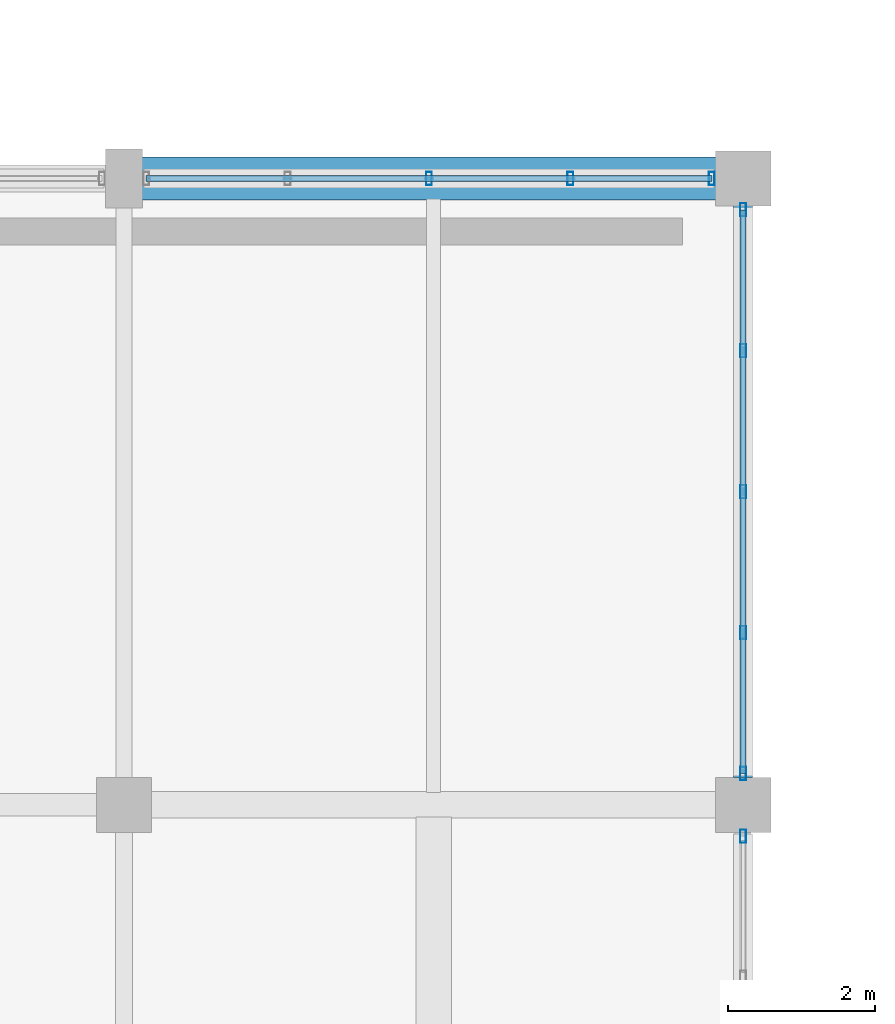
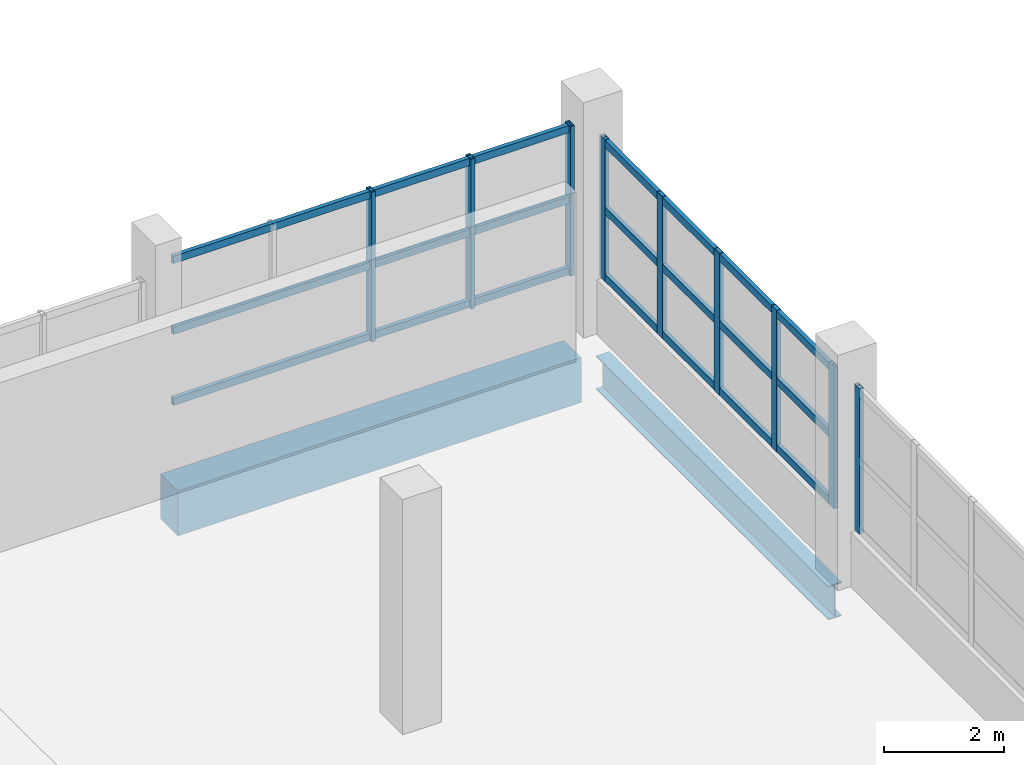
# One storey, part 47 of 77: 15 members, 2 beams, 3 elements without a shape of their own.
"""IFC4 building model written with IfcOpenShell, lengths in metres."""

from ifc_helpers import new_model, si_unit, direction, frame, origin, origin_2d, place, context, subcontext, project, spatial, rectangle, hollow_rectangle, i_section, extrude, material, material_profile, profile_set, type_object, element, aggregate, save


model = new_model("IFC4")

# Units and contexts
model_context = context("Model", 3, precision=1e-05, world=origin(), true_north=direction((0.0, 1.0)))
body_context = subcontext(model_context, "Body", "Model", "MODEL_VIEW")
ifc_project = project(units=[si_unit("LENGTHUNIT", "METRE"), si_unit("AREAUNIT", "SQUARE_METRE"), si_unit("VOLUMEUNIT", "CUBIC_METRE"), si_unit("PLANEANGLEUNIT", "RADIAN"), si_unit("MASSUNIT", "GRAM", prefix="KILO")], contexts=[model_context])

# Site, building, storey
site_placement = place(None, origin())
site = spatial("IfcSite", under=ifc_project, at=site_placement, CompositionType="ELEMENT")
building_placement = place(site_placement, origin())
building = spatial("IfcBuilding", under=site, at=building_placement, Name="Solvento Point Concert Hall", CompositionType="ELEMENT")
storey_placement = place(building_placement, frame((0.0, 0.0, 10.199951171875)))
storey = spatial("IfcBuildingStorey", under=building, at=storey_placement, Name="L02", CompositionType="ELEMENT", Elevation=10.199951171875)

# Beams
ifc_material_1 = material(Name="Concrete C35/45", Category="concrete")
ifc_material_profile_1 = material_profile(ifc_material_1, rectangle(XDim=0.580078125, YDim=0.919921875, at=origin_2d()), Name="RC-BM-580X920")
ifc_profile_set_1 = profile_set([ifc_material_profile_1], Name="Concrete C35/45")
beam_type_1 = type_object("IfcBeamType", Name="Girder_RC_580x920", PredefinedType="USERDEFINED", material=ifc_profile_set_1)
beam_1_placement = place(storey_placement, frame((200.64404296875, 25.5, -0.904052734375), z_axis=(1.0, 0.0, 0.0), x_axis=(0.0, 1.0, 0.0)))
element("IfcBeam", 1, at=beam_1_placement, inside=storey, type_object=beam_type_1, Name="Primary girder B-95 L02", ObjectType="GIRDER", PredefinedType="USERDEFINED", context=body_context, shape_type="SweptSolid", body=[
    extrude(rectangle(XDim=0.580078125, YDim=0.919921875, at=origin_2d()), origin(), (0.0, 0.0, 1.0), 7.786865234375),
])
ifc_material_2 = material(Name="Structural Steel ASTM A992 Grade 50", Category="steel")
ifc_material_profile_2 = material_profile(ifc_material_2, i_section(OverallWidth=0.256103515625, OverallDepth=0.693115234375, WebThickness=0.014404296875, FlangeThickness=0.023681640625, at=origin_2d()), Name="W27X114")
ifc_profile_set_2 = profile_set([ifc_material_profile_2], Name="Structural Steel ASTM A992 Grade 50")
beam_type_2 = type_object("IfcBeamType", Name="Girder_W27X114", PredefinedType="USERDEFINED", material=ifc_profile_set_2)
beam_2_placement = place(storey_placement, frame((208.800048828125, 17.368896484375, -0.79052734375), z_axis=(0.0, 1.0, 0.0), x_axis=(-1.0, 0.0, 0.0)))
element("IfcBeam", 2, at=beam_2_placement, inside=storey, type_object=beam_type_2, Name="Primary girder B-23 L02", ObjectType="GIRDER", PredefinedType="USERDEFINED", context=body_context, shape_type="SweptSolid", body=[
    extrude(i_section(OverallWidth=0.256103515625, OverallDepth=0.693115234375, WebThickness=0.014404296875, FlangeThickness=0.023681640625, at=origin_2d()), origin(), (0.0, 0.0, 1.0), 7.76220703125),
])

# Curtain wall, members
ifc_material_3 = material(Name="Anodized Bronze Aluminium", Category="aluminium")
curtain_wall_type = type_object("IfcCurtainWallType", Name="CurtainWall_ChamberCircle", PredefinedType="USERDEFINED", material=ifc_material_3)
curtain_wall_1_placement = place(storey_placement, origin())
curtain_wall_1 = element("IfcCurtainWall", 3, at=curtain_wall_1_placement, inside=storey, type_object=curtain_wall_type, Name="Unitised curtain wall CW-32 UCW-L02-151", ObjectType="UNITISED CURTAIN WALL", PredefinedType="USERDEFINED")
ifc_material_4 = material(Name="Anodized Bronze Aluminium", Category="aluminium")
ifc_material_profile_3 = material_profile(ifc_material_4, hollow_rectangle(XDim=0.080078125, YDim=0.179931640625, WallThickness=0.00390625, at=origin_2d()), Name="CW-MUL-80X180")
ifc_profile_set_3 = profile_set([ifc_material_profile_3], Name="Anodized Bronze Aluminium")
member_type_1 = type_object("IfcMemberType", Name="Mullion_80x180", PredefinedType="MULLION", material=ifc_profile_set_3)
member_1_placement = place(storey_placement, frame((204.53759765625, 25.5, 1.1201171875), z_axis=(0.0, 0.0, 1.0), x_axis=(1.0, 0.0, 0.0)))
member_1 = element("IfcMember", 4, at=member_1_placement, type_object=member_type_1, Name="Curtain wall mullion ML-01", PredefinedType="MULLION", context=body_context, shape_type="SweptSolid", body=[
    extrude(hollow_rectangle(XDim=0.080078125, YDim=0.179931640625, WallThickness=0.00390625, at=origin_2d()), origin(), (0.0, 0.0, 1.0), 3.055908203125),
])
member_2_placement = place(storey_placement, frame((206.456298828125, 25.5, 1.1201171875), z_axis=(0.0, 0.0, 1.0), x_axis=(1.0, 0.0, 0.0)))
member_2 = element("IfcMember", 5, at=member_2_placement, type_object=member_type_1, Name="Curtain wall mullion ML-01", PredefinedType="MULLION", context=body_context, shape_type="SweptSolid", body=[
    extrude(hollow_rectangle(XDim=0.080078125, YDim=0.179931640625, WallThickness=0.00390625, at=origin_2d()), origin(), (0.0, 0.0, 1.0), 3.055908203125),
])
member_3_placement = place(storey_placement, frame((208.375, 25.5, 1.1201171875), z_axis=(0.0, 0.0, 1.0), x_axis=(1.0, 0.0, 0.0)))
member_3 = element("IfcMember", 6, at=member_3_placement, type_object=member_type_1, Name="Curtain wall mullion ML-01", PredefinedType="MULLION", context=body_context, shape_type="SweptSolid", body=[
    extrude(hollow_rectangle(XDim=0.080078125, YDim=0.179931640625, WallThickness=0.00390625, at=origin_2d()), origin(), (0.0, 0.0, 1.0), 3.055908203125),
])

# Curtain wall, member
curtain_wall_2_placement = place(storey_placement, origin())
curtain_wall_2 = element("IfcCurtainWall", 7, at=curtain_wall_2_placement, inside=storey, type_object=curtain_wall_type, Name="Unitised curtain wall CW-32 UCW-L02-153", ObjectType="UNITISED CURTAIN WALL", PredefinedType="USERDEFINED")
member_4_placement = place(storey_placement, frame((208.800048828125, 16.574951171875, 1.1201171875), z_axis=(0.0, 0.0, 1.0), x_axis=(1.0, 0.0, 0.0)))
member_4 = element("IfcMember", 8, at=member_4_placement, type_object=member_type_1, Name="Curtain wall mullion ML-01", PredefinedType="MULLION", context=body_context, shape_type="SweptSolid", body=[
    extrude(hollow_rectangle(XDim=0.080078125, YDim=0.179931640625, WallThickness=0.00390625, at=origin_2d()), origin(), (0.0, 0.0, 1.0), 2.970947265625),
])
aggregate(curtain_wall_2, [member_4])

# Curtain wall, members
curtain_wall_3_placement = place(storey_placement, origin())
curtain_wall_3 = element("IfcCurtainWall", 9, at=curtain_wall_3_placement, inside=storey, type_object=curtain_wall_type, Name="Unitised curtain wall CW-32 UCW-L02-154", ObjectType="UNITISED CURTAIN WALL", PredefinedType="USERDEFINED")
member_5_placement = place(storey_placement, frame((208.800048828125, 17.425048828125, 1.1201171875), z_axis=(0.0, 0.0, 1.0), x_axis=(1.0, 0.0, 0.0)))
member_5 = element("IfcMember", 10, at=member_5_placement, type_object=member_type_1, Name="Curtain wall mullion ML-01", PredefinedType="MULLION", context=body_context, shape_type="SweptSolid", body=[
    extrude(hollow_rectangle(XDim=0.080078125, YDim=0.179931640625, WallThickness=0.00390625, at=origin_2d()), origin(), (0.0, 0.0, 1.0), 2.89404296875),
])
member_6_placement = place(storey_placement, frame((208.800048828125, 19.33740234375, 1.1201171875), z_axis=(0.0, 0.0, 1.0), x_axis=(1.0, 0.0, 0.0)))
member_6 = element("IfcMember", 11, at=member_6_placement, type_object=member_type_1, Name="Curtain wall mullion ML-01", PredefinedType="MULLION", context=body_context, shape_type="SweptSolid", body=[
    extrude(hollow_rectangle(XDim=0.080078125, YDim=0.179931640625, WallThickness=0.00390625, at=origin_2d()), origin(), (0.0, 0.0, 1.0), 2.89404296875),
])
member_7_placement = place(storey_placement, frame((208.800048828125, 21.25, 1.1201171875), z_axis=(0.0, 0.0, 1.0), x_axis=(1.0, 0.0, 0.0)))
member_7 = element("IfcMember", 12, at=member_7_placement, type_object=member_type_1, Name="Curtain wall mullion ML-01", PredefinedType="MULLION", context=body_context, shape_type="SweptSolid", body=[
    extrude(hollow_rectangle(XDim=0.080078125, YDim=0.179931640625, WallThickness=0.00390625, at=origin_2d()), origin(), (0.0, 0.0, 1.0), 2.89404296875),
])
member_8_placement = place(storey_placement, frame((208.800048828125, 23.16259765625, 1.1201171875), z_axis=(0.0, 0.0, 1.0), x_axis=(1.0, 0.0, 0.0)))
member_8 = element("IfcMember", 13, at=member_8_placement, type_object=member_type_1, Name="Curtain wall mullion ML-01", PredefinedType="MULLION", context=body_context, shape_type="SweptSolid", body=[
    extrude(hollow_rectangle(XDim=0.080078125, YDim=0.179931640625, WallThickness=0.00390625, at=origin_2d()), origin(), (0.0, 0.0, 1.0), 2.89404296875),
])
member_9_placement = place(storey_placement, frame((208.800048828125, 25.074951171875, 1.1201171875), z_axis=(0.0, 0.0, 1.0), x_axis=(1.0, 0.0, 0.0)))
member_9 = element("IfcMember", 14, at=member_9_placement, type_object=member_type_1, Name="Curtain wall mullion ML-01", PredefinedType="MULLION", context=body_context, shape_type="SweptSolid", body=[
    extrude(hollow_rectangle(XDim=0.080078125, YDim=0.179931640625, WallThickness=0.00390625, at=origin_2d()), origin(), (0.0, 0.0, 1.0), 2.89404296875),
])

# Member
ifc_material_5 = material(Name="Anodized Bronze Aluminium", Category="aluminium")
ifc_material_profile_4 = material_profile(ifc_material_5, hollow_rectangle(XDim=0.080078125, YDim=0.14990234375, WallThickness=0.00390625, at=origin_2d()), Name="CW-TRN-80X150")
ifc_profile_set_4 = profile_set([ifc_material_profile_4], Name="Anodized Bronze Aluminium")
member_type_2 = type_object("IfcMemberType", Name="Transom_80x150", PredefinedType="USERDEFINED", material=ifc_profile_set_4)
member_10_placement = place(storey_placement, frame((200.699951171875, 25.5, 1.199951171875), z_axis=(1.0, 0.0, 0.0), x_axis=(0.0, 1.0, 0.0)))
member_10 = element("IfcMember", 15, at=member_10_placement, type_object=member_type_2, Name="Curtain wall transom TR-01", ObjectType="TRANSOM", PredefinedType="USERDEFINED", context=body_context, shape_type="SweptSolid", body=[
    extrude(hollow_rectangle(XDim=0.080078125, YDim=0.14990234375, WallThickness=0.00390625, at=origin_2d()), origin(), (0.0, 0.0, 1.0), 7.675048828125),
])

member_11_placement = place(storey_placement, frame((200.699951171875, 25.5, 2.64794921875), z_axis=(1.0, 0.0, 0.0), x_axis=(0.0, 1.0, 0.0)))
member_11 = element("IfcMember", 16, at=member_11_placement, type_object=member_type_2, Name="Curtain wall transom TR-01", ObjectType="TRANSOM", PredefinedType="USERDEFINED", context=body_context, shape_type="SweptSolid", body=[
    extrude(hollow_rectangle(XDim=0.080078125, YDim=0.14990234375, WallThickness=0.00390625, at=origin_2d()), origin(), (0.0, 0.0, 1.0), 7.675048828125),
])

member_12_placement = place(storey_placement, frame((200.699951171875, 25.5, 4.095947265625), z_axis=(1.0, 0.0, 0.0), x_axis=(0.0, 1.0, 0.0)))
member_12 = element("IfcMember", 17, at=member_12_placement, type_object=member_type_2, Name="Curtain wall transom TR-01", ObjectType="TRANSOM", PredefinedType="USERDEFINED", context=body_context, shape_type="SweptSolid", body=[
    extrude(hollow_rectangle(XDim=0.080078125, YDim=0.14990234375, WallThickness=0.00390625, at=origin_2d()), origin(), (0.0, 0.0, 1.0), 7.675048828125),
])

aggregate(curtain_wall_1, [member_1, member_2, member_3, member_10, member_11, member_12])

member_13_placement = place(storey_placement, frame((208.800048828125, 17.425048828125, 1.199951171875), z_axis=(0.0, 1.0, 0.0), x_axis=(-1.0, 0.0, 0.0)))
member_13 = element("IfcMember", 18, at=member_13_placement, type_object=member_type_2, Name="Curtain wall transom TR-01", ObjectType="TRANSOM", PredefinedType="USERDEFINED", context=body_context, shape_type="SweptSolid", body=[
    extrude(hollow_rectangle(XDim=0.080078125, YDim=0.14990234375, WallThickness=0.00390625, at=origin_2d()), origin(), (0.0, 0.0, 1.0), 7.64990234375),
])

member_14_placement = place(storey_placement, frame((208.800048828125, 17.425048828125, 2.567138671875), z_axis=(0.0, 1.0, 0.0), x_axis=(-1.0, 0.0, 0.0)))
member_14 = element("IfcMember", 19, at=member_14_placement, type_object=member_type_2, Name="Curtain wall transom TR-01", ObjectType="TRANSOM", PredefinedType="USERDEFINED", context=body_context, shape_type="SweptSolid", body=[
    extrude(hollow_rectangle(XDim=0.080078125, YDim=0.14990234375, WallThickness=0.00390625, at=origin_2d()), origin(), (0.0, 0.0, 1.0), 7.64990234375),
])

member_15_placement = place(storey_placement, frame((208.800048828125, 17.425048828125, 3.93408203125), z_axis=(0.0, 1.0, 0.0), x_axis=(-1.0, 0.0, 0.0)))
member_15 = element("IfcMember", 20, at=member_15_placement, type_object=member_type_2, Name="Curtain wall transom TR-01", ObjectType="TRANSOM", PredefinedType="USERDEFINED", context=body_context, shape_type="SweptSolid", body=[
    extrude(hollow_rectangle(XDim=0.080078125, YDim=0.14990234375, WallThickness=0.00390625, at=origin_2d()), origin(), (0.0, 0.0, 1.0), 7.64990234375),
])

aggregate(curtain_wall_3, [member_5, member_6, member_7, member_8, member_9, member_13, member_14, member_15])

save(model, "model.ifc")
